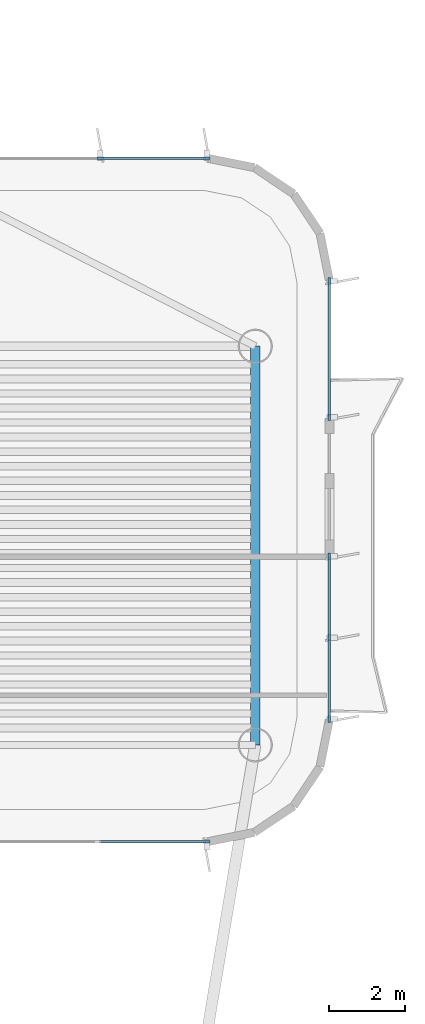
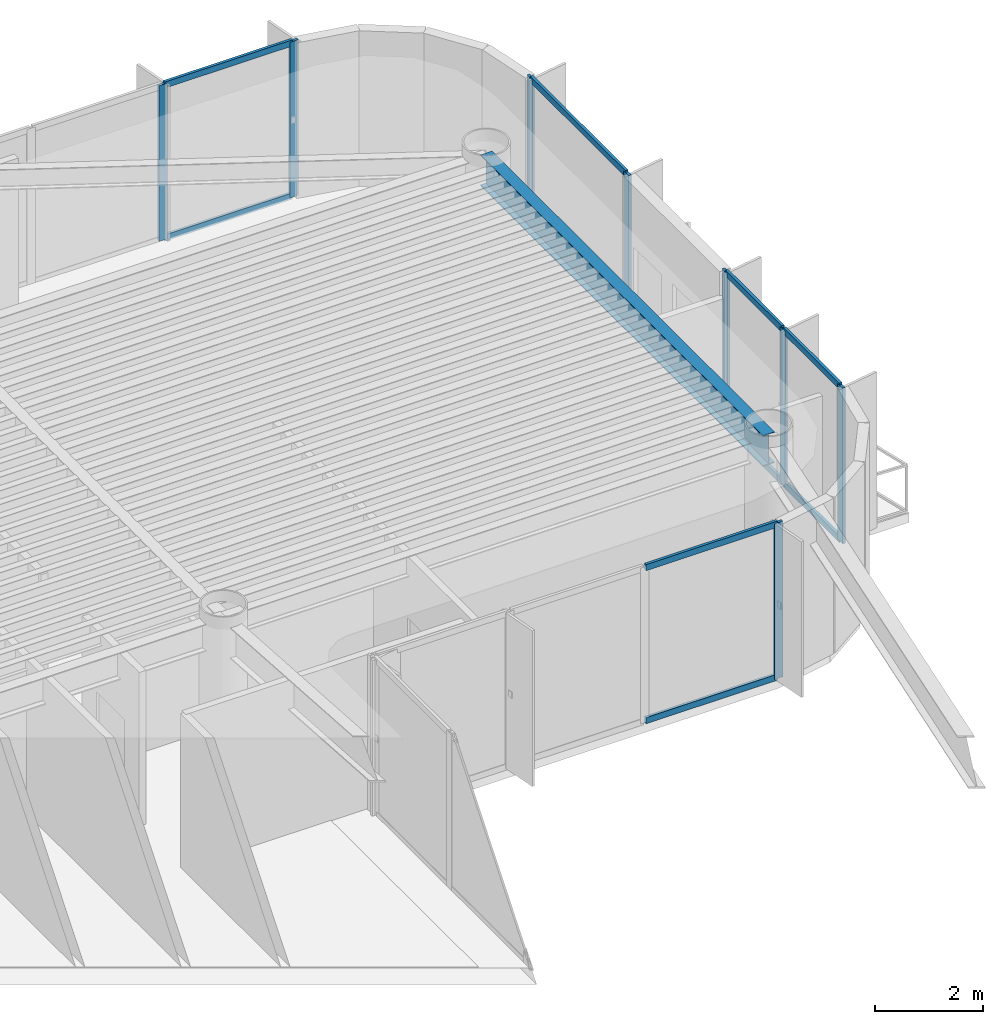
# One storey, part 8 of 15: 18 members, 1 beam, 4 elements without a shape of their own.
"""IFC4 building model written with IfcOpenShell, lengths in metres."""

from ifc_helpers import new_model, si_unit, direction, frame, origin, origin_2d, place, context, subcontext, project, spatial, rectangle, i_section, extrude, source, transform, mapped, material, layer, layer_set, material_profile, profile_set, type_object, element, aggregate, save


model = new_model("IFC4")

# Units and contexts
model_context = context("Model", 3, precision=1e-05, world=origin(), true_north=direction((0.0, 1.0)))
body_context = subcontext(model_context, "Body", "Model", "MODEL_VIEW")
ifc_project = project(units=[si_unit("LENGTHUNIT", "METRE"), si_unit("AREAUNIT", "SQUARE_METRE"), si_unit("VOLUMEUNIT", "CUBIC_METRE"), si_unit("PLANEANGLEUNIT", "RADIAN"), si_unit("MASSUNIT", "GRAM", prefix="KILO")], contexts=[model_context])

# Site, building, storey
site_placement = place(None, origin())
site = spatial("IfcSite", under=ifc_project, at=site_placement, CompositionType="ELEMENT")
building_placement = place(site_placement, origin())
building = spatial("IfcBuilding", under=site, at=building_placement, Name="Brelvock Crest Care Tower", CompositionType="ELEMENT")
storey_placement = place(building_placement, frame((0.0, 0.0, 245.699951171875)))
storey = spatial("IfcBuildingStorey", under=building, at=storey_placement, Name="L62", CompositionType="ELEMENT", Elevation=245.699951171875)

# Beam
ifc_material_1 = material(Name="Steel Grade 350", Category="steel")
ifc_material_profile_1 = material_profile(ifc_material_1, i_section(OverallWidth=0.25, OverallDepth=0.699951171875, WebThickness=0.011962890625, FlangeThickness=0.02001953125, at=origin_2d()), Name="700WB150")
ifc_profile_set_1 = profile_set([ifc_material_profile_1], Name="Steel Grade 350")
beam_type = type_object("IfcBeamType", Name="BM-G4", PredefinedType="BEAM", material=ifc_profile_set_1)
shared_shape_1 = source(origin(), body_context, "Body", "SweptSolid", [
    extrude(i_section(OverallWidth=0.25, OverallDepth=0.699951171875, WebThickness=0.011962890625, FlangeThickness=0.02001953125, at=origin_2d()), origin(), (0.0, 0.0, 1.0), 10.5),
])
beam_placement = place(storey_placement, frame((52.35009765625, 43.949951171875, 3.179931640625), z_axis=(0.0, 1.0, 0.0), x_axis=(-1.0, 0.0, 0.0)))
element("IfcBeam", 1, at=beam_placement, inside=storey, type_object=beam_type, Name="BM-TWR-L62-02", PredefinedType="BEAM", context=body_context, shape_type="MappedRepresentation", body=[
    mapped(shared_shape_1, transform((0.0, 0.0, 0.0), x_axis=(1.0, 0.0, 0.0), y_axis=(0.0, 1.0, 0.0), z_axis=(0.0, 0.0, 1.0), scale=1.0)),
])

# Curtain wall, members
ifc_material_2 = material(Name="Dark Glass Double Glazed Low-E", Category="glass")
ifc_layer = layer(ifc_material_2, 0.239990234375, Name="CWS-5")
ifc_layer_set = layer_set([ifc_layer], Name="Dark Glass Double Glazed Low-E")
curtain_wall_type = type_object("IfcCurtainWallType", Name="CWS-5", PredefinedType="NOTDEFINED", material=ifc_layer_set)
curtain_wall_1_placement = place(storey_placement, origin())
curtain_wall_1 = element("IfcCurtainWall", 2, at=curtain_wall_1_placement, inside=storey, type_object=curtain_wall_type, Name="L62 Curtain Wall E34", PredefinedType="NOTDEFINED")
ifc_material_3 = material(Name="Aluminium 6063-T6", Category="aluminium")
ifc_material_profile_2 = material_profile(ifc_material_3, rectangle(XDim=0.06005859375, YDim=0.179931640625, at=origin_2d()), Name="ALU60x180")
ifc_profile_set_2 = profile_set([ifc_material_profile_2], Name="Aluminium 6063-T6")
member_type_1 = type_object("IfcMemberType", Name="CWM-2", PredefinedType="MULLION", material=ifc_profile_set_2)
shared_shape_2 = source(origin(), body_context, "Body", "SweptSolid", [
    extrude(rectangle(XDim=0.06005859375, YDim=0.179931640625, at=origin_2d()), origin(), (0.0, 0.0, 1.0), 3.530029296875),
])
member_1_placement = place(storey_placement, frame((48.2666015625, 59.39990234375, 0.0), z_axis=(0.0, 0.0, 1.0), x_axis=(0.0, 1.0, 0.0)))
member_1 = element("IfcMember", 3, at=member_1_placement, type_object=member_type_1, Name="CW-5 mullion 3", PredefinedType="MULLION", context=body_context, shape_type="MappedRepresentation", body=[
    mapped(shared_shape_2, transform((0.0, 0.0, 0.0), x_axis=(1.0, 0.0, 0.0), y_axis=(0.0, 1.0, 0.0), z_axis=(0.0, 0.0, 1.0), scale=1.0)),
])
member_2_placement = place(storey_placement, frame((51.070068359375, 59.39990234375, 0.0), z_axis=(0.0, 0.0, 1.0), x_axis=(0.0, 1.0, 0.0)))
member_2 = element("IfcMember", 4, at=member_2_placement, type_object=member_type_1, Name="CW-5 mullion 4", PredefinedType="MULLION", context=body_context, shape_type="MappedRepresentation", body=[
    mapped(shared_shape_2, transform((0.0, 0.0, 0.0), x_axis=(1.0, 0.0, 0.0), y_axis=(0.0, 1.0, 0.0), z_axis=(0.0, 0.0, 1.0), scale=1.0)),
])

curtain_wall_2_placement = place(storey_placement, origin())
curtain_wall_2 = element("IfcCurtainWall", 5, at=curtain_wall_2_placement, inside=storey, type_object=curtain_wall_type, Name="L62 Curtain Wall E39A", PredefinedType="NOTDEFINED")
member_3_placement = place(storey_placement, frame((54.300048828125, 56.169921875, 0.0), z_axis=(0.0, 0.0, 1.0), x_axis=(1.0, 0.0, 0.0)))
member_3 = element("IfcMember", 6, at=member_3_placement, type_object=member_type_1, Name="CW-5 mullion 1", PredefinedType="MULLION", context=body_context, shape_type="MappedRepresentation", body=[
    mapped(shared_shape_2, transform((0.0, 0.0, 0.0), x_axis=(1.0, 0.0, 0.0), y_axis=(0.0, 1.0, 0.0), z_axis=(0.0, 0.0, 1.0), scale=1.0)),
])
member_4_placement = place(storey_placement, frame((54.300048828125, 52.580078125, 0.0), z_axis=(0.0, 0.0, 1.0), x_axis=(1.0, 0.0, 0.0)))
member_4 = element("IfcMember", 7, at=member_4_placement, type_object=member_type_1, Name="CW-5 mullion 2", PredefinedType="MULLION", context=body_context, shape_type="MappedRepresentation", body=[
    mapped(shared_shape_2, transform((0.0, 0.0, 0.0), x_axis=(1.0, 0.0, 0.0), y_axis=(0.0, 1.0, 0.0), z_axis=(0.0, 0.0, 1.0), scale=1.0)),
])

curtain_wall_3_placement = place(storey_placement, origin())
curtain_wall_3 = element("IfcCurtainWall", 8, at=curtain_wall_3_placement, inside=storey, type_object=curtain_wall_type, Name="L62 Curtain Wall E39B", PredefinedType="NOTDEFINED")
member_5_placement = place(storey_placement, frame((54.300048828125, 48.919921875, 0.0), z_axis=(0.0, 0.0, 1.0), x_axis=(1.0, 0.0, 0.0)))
member_5 = element("IfcMember", 9, at=member_5_placement, type_object=member_type_1, Name="CW-5 mullion 1", PredefinedType="MULLION", context=body_context, shape_type="MappedRepresentation", body=[
    mapped(shared_shape_2, transform((0.0, 0.0, 0.0), x_axis=(1.0, 0.0, 0.0), y_axis=(0.0, 1.0, 0.0), z_axis=(0.0, 0.0, 1.0), scale=1.0)),
])
member_6_placement = place(storey_placement, frame((54.300048828125, 46.77490234375, 0.0), z_axis=(0.0, 0.0, 1.0), x_axis=(1.0, 0.0, 0.0)))
member_6 = element("IfcMember", 10, at=member_6_placement, type_object=member_type_1, Name="CW-5 mullion 2", PredefinedType="MULLION", context=body_context, shape_type="MappedRepresentation", body=[
    mapped(shared_shape_2, transform((0.0, 0.0, 0.0), x_axis=(1.0, 0.0, 0.0), y_axis=(0.0, 1.0, 0.0), z_axis=(0.0, 0.0, 1.0), scale=1.0)),
])
member_7_placement = place(storey_placement, frame((54.300048828125, 44.6298828125, 0.0), z_axis=(0.0, 0.0, 1.0), x_axis=(1.0, 0.0, 0.0)))
member_7 = element("IfcMember", 11, at=member_7_placement, type_object=member_type_1, Name="CW-5 mullion 3", PredefinedType="MULLION", context=body_context, shape_type="MappedRepresentation", body=[
    mapped(shared_shape_2, transform((0.0, 0.0, 0.0), x_axis=(1.0, 0.0, 0.0), y_axis=(0.0, 1.0, 0.0), z_axis=(0.0, 0.0, 1.0), scale=1.0)),
])

curtain_wall_4_placement = place(storey_placement, origin())
curtain_wall_4 = element("IfcCurtainWall", 12, at=curtain_wall_4_placement, inside=storey, type_object=curtain_wall_type, Name="L62 Curtain Wall E44", PredefinedType="NOTDEFINED")
member_8_placement = place(storey_placement, frame((51.070068359375, 41.39990234375, 0.0), z_axis=(0.0, 0.0, 1.0), x_axis=(0.0, -1.0, 0.0)))
member_8 = element("IfcMember", 13, at=member_8_placement, type_object=member_type_1, Name="CW-5 mullion 1", PredefinedType="MULLION", context=body_context, shape_type="MappedRepresentation", body=[
    mapped(shared_shape_2, transform((0.0, 0.0, 0.0), x_axis=(1.0, 0.0, 0.0), y_axis=(0.0, 1.0, 0.0), z_axis=(0.0, 0.0, 1.0), scale=1.0)),
])
ifc_material_profile_3 = material_profile(ifc_material_3, rectangle(XDim=0.06005859375, YDim=0.139892578125, at=origin_2d()), Name="ALU60x140")
ifc_profile_set_3 = profile_set([ifc_material_profile_3], Name="Aluminium 6063-T6")
member_type_2 = type_object("IfcMemberType", Name="CWT-2", PredefinedType="USERDEFINED", material=ifc_profile_set_3)
shared_shape_3 = source(origin(), body_context, "Body", "SweptSolid", [
    extrude(rectangle(XDim=0.06005859375, YDim=0.139892578125, at=origin_2d()), origin(), (0.0, 0.0, 1.0), 2.81005859375),
])
member_9_placement = place(storey_placement, frame((51.0400390625, 41.39990234375, 0.030029296875), z_axis=(-1.0, 0.0, 0.0), x_axis=(0.0, -1.0, 0.0)))
member_9 = element("IfcMember", 14, at=member_9_placement, type_object=member_type_2, Name="CW-5 transom 1.1", ObjectType="TRANSOM", PredefinedType="USERDEFINED", context=body_context, shape_type="MappedRepresentation", body=[
    mapped(shared_shape_3, transform((0.0, 0.0, 0.0), x_axis=(1.0, 0.0, 0.0), y_axis=(0.0, 1.0, 0.0), z_axis=(0.0, 0.0, 1.0), scale=1.0)),
])
member_10_placement = place(storey_placement, frame((51.0400390625, 41.39990234375, 3.5), z_axis=(-1.0, 0.0, 0.0), x_axis=(0.0, -1.0, 0.0)))
member_10 = element("IfcMember", 15, at=member_10_placement, type_object=member_type_2, Name="CW-5 transom 1.2", ObjectType="TRANSOM", PredefinedType="USERDEFINED", context=body_context, shape_type="MappedRepresentation", body=[
    mapped(shared_shape_3, transform((0.0, 0.0, 0.0), x_axis=(1.0, 0.0, 0.0), y_axis=(0.0, 1.0, 0.0), z_axis=(0.0, 0.0, 1.0), scale=1.0)),
])
aggregate(curtain_wall_4, [member_8, member_9, member_10])

# Member
shared_shape_4 = source(origin(), body_context, "Body", "SweptSolid", [
    extrude(rectangle(XDim=0.06005859375, YDim=0.139892578125, at=origin_2d()), origin(), (0.0, 0.0, 1.0), 2.743408203125),
])
member_11_placement = place(storey_placement, frame((48.296630859375, 59.39990234375, 0.030029296875), z_axis=(1.0, 0.0, 0.0), x_axis=(0.0, 1.0, 0.0)))
member_11 = element("IfcMember", 16, at=member_11_placement, type_object=member_type_2, Name="CW-5 transom 3.1", ObjectType="TRANSOM", PredefinedType="USERDEFINED", context=body_context, shape_type="MappedRepresentation", body=[
    mapped(shared_shape_4, transform((0.0, 0.0, 0.0), x_axis=(1.0, 0.0, 0.0), y_axis=(0.0, 1.0, 0.0), z_axis=(0.0, 0.0, 1.0), scale=1.0)),
])

member_12_placement = place(storey_placement, frame((48.296630859375, 59.39990234375, 3.5), z_axis=(1.0, 0.0, 0.0), x_axis=(0.0, 1.0, 0.0)))
member_12 = element("IfcMember", 17, at=member_12_placement, type_object=member_type_2, Name="CW-5 transom 3.2", ObjectType="TRANSOM", PredefinedType="USERDEFINED", context=body_context, shape_type="MappedRepresentation", body=[
    mapped(shared_shape_4, transform((0.0, 0.0, 0.0), x_axis=(1.0, 0.0, 0.0), y_axis=(0.0, 1.0, 0.0), z_axis=(0.0, 0.0, 1.0), scale=1.0)),
])

aggregate(curtain_wall_1, [member_1, member_2, member_11, member_12])

shared_shape_5 = source(origin(), body_context, "Body", "SweptSolid", [
    extrude(rectangle(XDim=0.06005859375, YDim=0.139892578125, at=origin_2d()), origin(), (0.0, 0.0, 1.0), 2.085205078125),
])
member_13_placement = place(storey_placement, frame((54.300048828125, 46.7451171875, 0.030029296875), z_axis=(0.0, -1.0, 0.0), x_axis=(1.0, 0.0, 0.0)))
member_13 = element("IfcMember", 18, at=member_13_placement, type_object=member_type_2, Name="CW-5 transom 2.1", ObjectType="TRANSOM", PredefinedType="USERDEFINED", context=body_context, shape_type="MappedRepresentation", body=[
    mapped(shared_shape_5, transform((0.0, 0.0, 0.0), x_axis=(1.0, 0.0, 0.0), y_axis=(0.0, 1.0, 0.0), z_axis=(0.0, 0.0, 1.0), scale=1.0)),
])

member_14_placement = place(storey_placement, frame((54.300048828125, 46.7451171875, 3.5), z_axis=(0.0, -1.0, 0.0), x_axis=(1.0, 0.0, 0.0)))
member_14 = element("IfcMember", 19, at=member_14_placement, type_object=member_type_2, Name="CW-5 transom 2.2", ObjectType="TRANSOM", PredefinedType="USERDEFINED", context=body_context, shape_type="MappedRepresentation", body=[
    mapped(shared_shape_5, transform((0.0, 0.0, 0.0), x_axis=(1.0, 0.0, 0.0), y_axis=(0.0, 1.0, 0.0), z_axis=(0.0, 0.0, 1.0), scale=1.0)),
])

shared_shape_6 = source(origin(), body_context, "Body", "SweptSolid", [
    extrude(rectangle(XDim=0.06005859375, YDim=0.139892578125, at=origin_2d()), origin(), (0.0, 0.0, 1.0), 2.0849609375),
])
member_15_placement = place(storey_placement, frame((54.300048828125, 48.889892578125, 0.030029296875), z_axis=(0.0, -1.0, 0.0), x_axis=(1.0, 0.0, 0.0)))
member_15 = element("IfcMember", 20, at=member_15_placement, type_object=member_type_2, Name="CW-5 transom 1.1", ObjectType="TRANSOM", PredefinedType="USERDEFINED", context=body_context, shape_type="MappedRepresentation", body=[
    mapped(shared_shape_6, transform((0.0, 0.0, 0.0), x_axis=(1.0, 0.0, 0.0), y_axis=(0.0, 1.0, 0.0), z_axis=(0.0, 0.0, 1.0), scale=1.0)),
])

member_16_placement = place(storey_placement, frame((54.300048828125, 48.889892578125, 3.5), z_axis=(0.0, -1.0, 0.0), x_axis=(1.0, 0.0, 0.0)))
member_16 = element("IfcMember", 21, at=member_16_placement, type_object=member_type_2, Name="CW-5 transom 1.2", ObjectType="TRANSOM", PredefinedType="USERDEFINED", context=body_context, shape_type="MappedRepresentation", body=[
    mapped(shared_shape_6, transform((0.0, 0.0, 0.0), x_axis=(1.0, 0.0, 0.0), y_axis=(0.0, 1.0, 0.0), z_axis=(0.0, 0.0, 1.0), scale=1.0)),
])

aggregate(curtain_wall_3, [member_5, member_6, member_7, member_15, member_16, member_13, member_14])

shared_shape_7 = source(origin(), body_context, "Body", "SweptSolid", [
    extrude(rectangle(XDim=0.06005859375, YDim=0.139892578125, at=origin_2d()), origin(), (0.0, 0.0, 1.0), 3.52978515625),
])
member_17_placement = place(storey_placement, frame((54.300048828125, 56.139892578125, 0.030029296875), z_axis=(0.0, -1.0, 0.0), x_axis=(1.0, 0.0, 0.0)))
member_17 = element("IfcMember", 22, at=member_17_placement, type_object=member_type_2, Name="CW-5 transom 1.1", ObjectType="TRANSOM", PredefinedType="USERDEFINED", context=body_context, shape_type="MappedRepresentation", body=[
    mapped(shared_shape_7, transform((0.0, 0.0, 0.0), x_axis=(1.0, 0.0, 0.0), y_axis=(0.0, 1.0, 0.0), z_axis=(0.0, 0.0, 1.0), scale=1.0)),
])

member_18_placement = place(storey_placement, frame((54.300048828125, 56.139892578125, 3.5), z_axis=(0.0, -1.0, 0.0), x_axis=(1.0, 0.0, 0.0)))
member_18 = element("IfcMember", 23, at=member_18_placement, type_object=member_type_2, Name="CW-5 transom 1.2", ObjectType="TRANSOM", PredefinedType="USERDEFINED", context=body_context, shape_type="MappedRepresentation", body=[
    mapped(shared_shape_7, transform((0.0, 0.0, 0.0), x_axis=(1.0, 0.0, 0.0), y_axis=(0.0, 1.0, 0.0), z_axis=(0.0, 0.0, 1.0), scale=1.0)),
])

aggregate(curtain_wall_2, [member_3, member_4, member_17, member_18])

save(model, "model.ifc")
